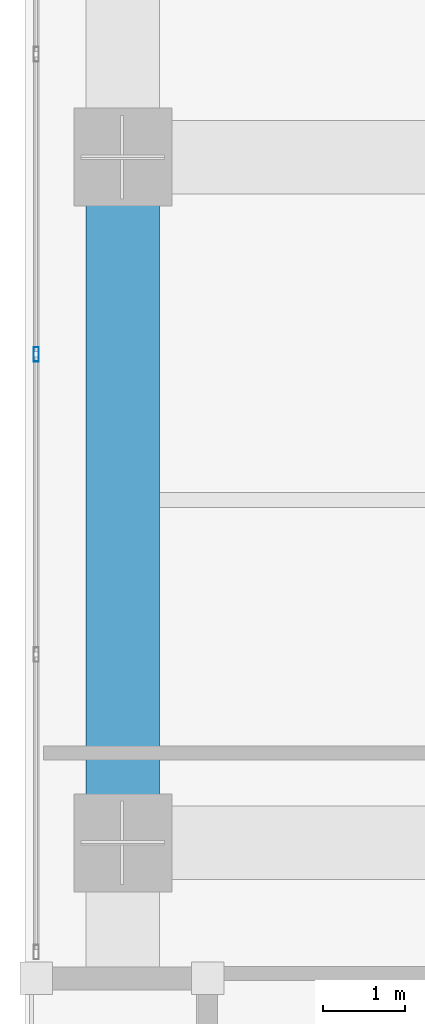
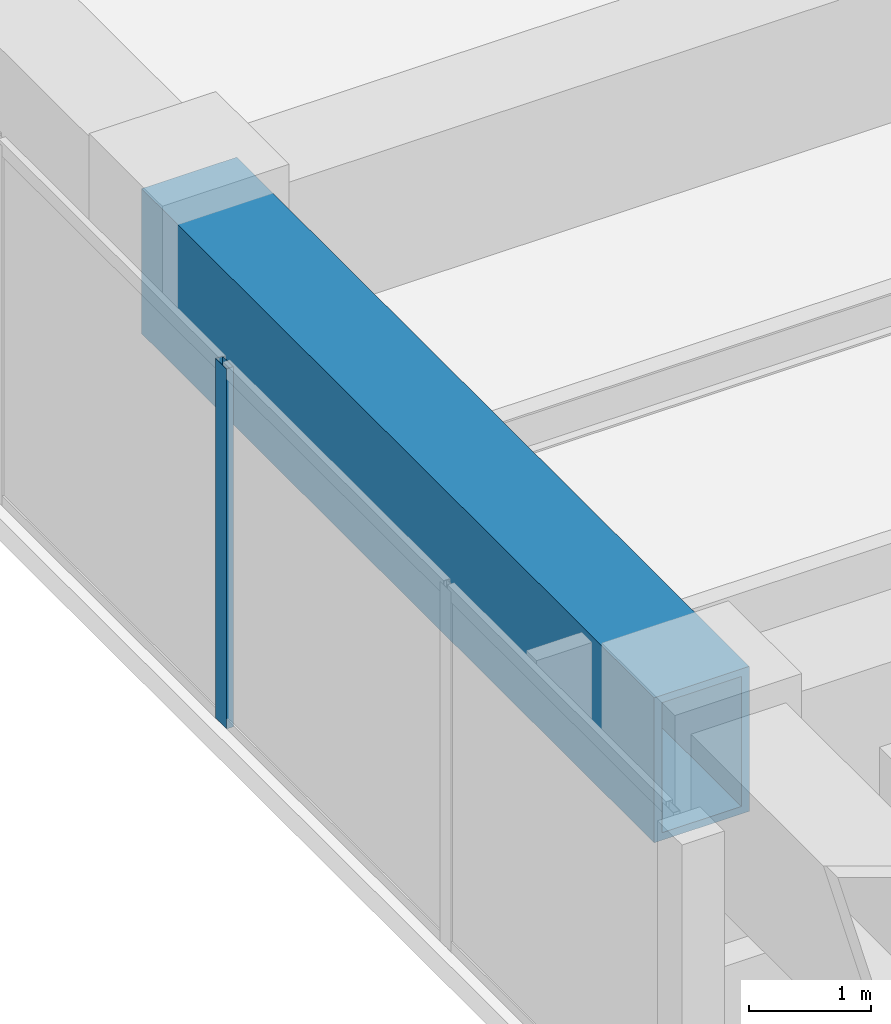
# One storey, part 5 of 30: 1 beam, 1 member, 1 element without a shape of its own.
"""IFC4 building model written with IfcOpenShell, lengths in metres."""

from ifc_helpers import new_model, si_unit, direction, frame, origin, origin_2d, place, context, subcontext, project, spatial, hollow_rectangle, extrude, material, layer, layer_set, material_profile, profile_set, type_object, element, aggregate, save


model = new_model("IFC4")

# Units and contexts
model_context = context("Model", 3, precision=1e-05, world=origin(), true_north=direction((0.0, 1.0)))
body_context = subcontext(model_context, "Body", "Model", "MODEL_VIEW")
ifc_project = project(units=[si_unit("LENGTHUNIT", "METRE"), si_unit("AREAUNIT", "SQUARE_METRE"), si_unit("VOLUMEUNIT", "CUBIC_METRE"), si_unit("PLANEANGLEUNIT", "RADIAN"), si_unit("MASSUNIT", "GRAM", prefix="KILO")], contexts=[model_context])

# Site, building, storey
site_placement = place(None, origin())
site = spatial("IfcSite", under=ifc_project, at=site_placement, CompositionType="ELEMENT")
building_placement = place(site_placement, origin())
building = spatial("IfcBuilding", under=site, at=building_placement, Name="Kiyonajd Concourse Tower", CompositionType="ELEMENT")
storey_placement = place(building_placement, frame((0.0, 0.0, 205.800048828125)))
storey = spatial("IfcBuildingStorey", under=building, at=storey_placement, Name="L52", CompositionType="ELEMENT", Elevation=205.800048828125)

# Beam
ifc_material_1 = material(Name="Steel ASTM A572 Grade 50", Category="steel")
ifc_material_profile_1 = material_profile(ifc_material_1, hollow_rectangle(XDim=0.89990234375, YDim=1.449951171875, WallThickness=0.074951171875, at=origin_2d()), Name="BOX-1450x900x75")
ifc_profile_set_1 = profile_set([ifc_material_profile_1], Name="Steel ASTM A572 Grade 50")
beam_type = type_object("IfcBeamType", Name="BM-XFER-1800", PredefinedType="BEAM", material=ifc_profile_set_1)
beam_placement = place(storey_placement, frame((19.199951171875, 44.39990234375, 2.93505859375), z_axis=(0.0, -1.0, 0.0), x_axis=(1.0, 0.0, 0.0)))
element("IfcBeam", 1, at=beam_placement, inside=storey, type_object=beam_type, Name="L52 Perimeter Bundled Tube Spandrel", PredefinedType="BEAM", context=body_context, shape_type="SweptSolid", body=[
    extrude(hollow_rectangle(XDim=0.89990234375, YDim=1.449951171875, WallThickness=0.074951171875, at=origin_2d()), origin(), (0.0, 0.0, 1.0), 8.39990234375),
])

# Curtain wall, member
ifc_material_2 = material(Name="Thermally Broken Anodised Aluminium", Category="aluminium")
ifc_layer = layer(ifc_material_2, 0.179931640625)
ifc_layer_set = layer_set([ifc_layer], Name="Thermally Broken Anodised Aluminium")
curtain_wall_type = type_object("IfcCurtainWallType", Name="CW-SYS-03", PredefinedType="NOTDEFINED", material=ifc_layer_set)
curtain_wall_placement = place(storey_placement, origin())
curtain_wall = element("IfcCurtainWall", 2, at=curtain_wall_placement, inside=storey, type_object=curtain_wall_type, Name="L52 Unitised Curtain Wall CW3", PredefinedType="NOTDEFINED")
ifc_material_profile_2 = material_profile(ifc_material_2, hollow_rectangle(XDim=0.06494140625, YDim=0.179931640625, WallThickness=0.00390625, at=origin_2d()), Name="MULL-65x180")
ifc_profile_set_2 = profile_set([ifc_material_profile_2], Name="Thermally Broken Anodised Aluminium")
member_type = type_object("IfcMemberType", Name="MB-CW-MULL1", PredefinedType="MULLION", material=ifc_profile_set_2)
member_placement = place(storey_placement, frame((18.139892578125, 41.98388671875, 0.0), z_axis=(0.0, 0.0, 1.0), x_axis=(-1.0, 0.0, 0.0)))
member = element("IfcMember", 3, at=member_placement, type_object=member_type, Name="CW3 mullion 3", PredefinedType="MULLION", context=body_context, shape_type="SweptSolid", body=[
    extrude(hollow_rectangle(XDim=0.06494140625, YDim=0.179931640625, WallThickness=0.00390625, at=origin_2d()), origin(), (0.0, 0.0, 1.0), 3.599853515625),
])
aggregate(curtain_wall, [member])

save(model, "model.ifc")
